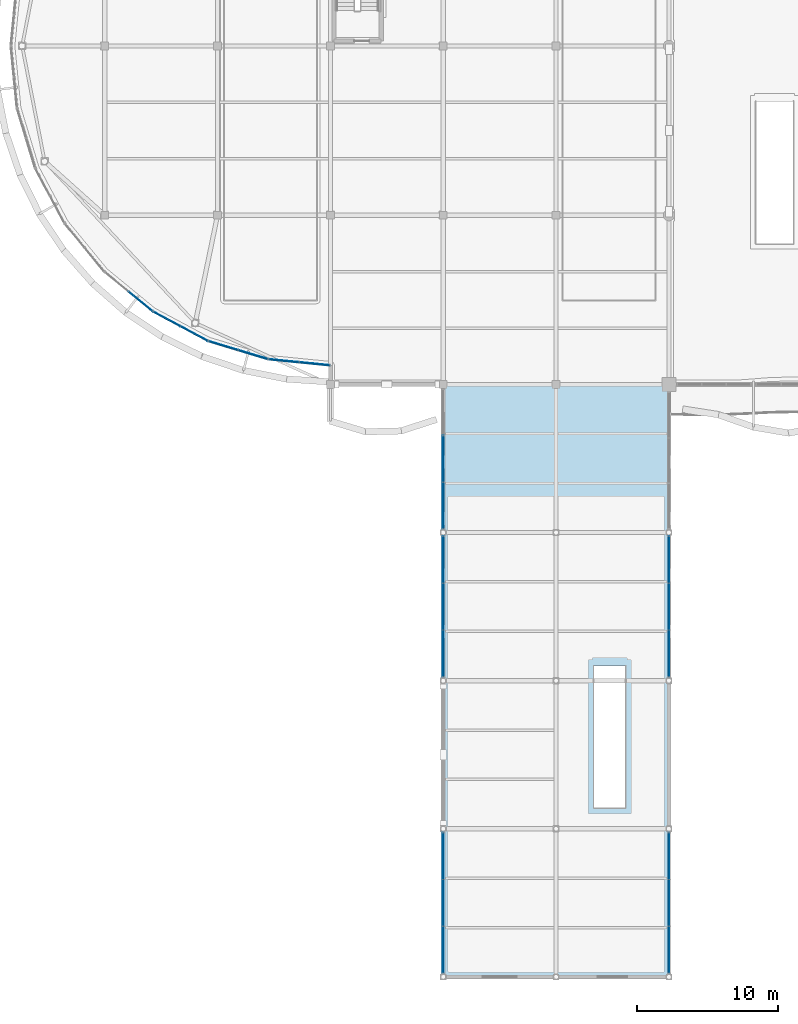
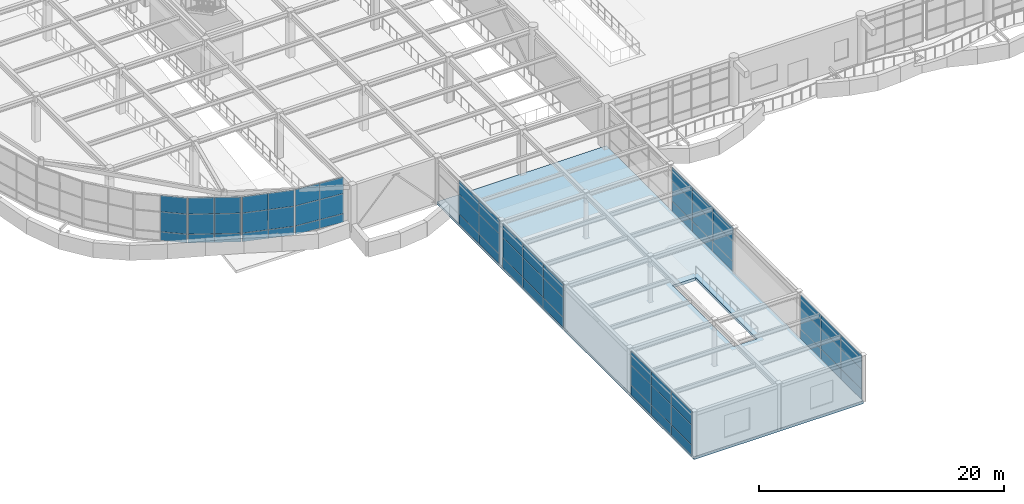
# One storey, part 35 of 72: 63 plates, 1 slab, 9 elements without a shape of their own.
"""IFC4 building model written with IfcOpenShell, lengths in metres."""

from ifc_helpers import new_model, si_unit, direction, frame, origin, origin_2d, place, context, subcontext, project, spatial, polyline, rectangle, outline, extrude, material, layer, layer_set, type_object, element, aggregate, save


model = new_model("IFC4")

# Units and contexts
model_context = context("Model", 3, precision=1e-05, world=origin(), true_north=direction((0.0, 1.0)))
body_context = subcontext(model_context, "Body", "Model", "MODEL_VIEW")
ifc_project = project(units=[si_unit("LENGTHUNIT", "METRE"), si_unit("AREAUNIT", "SQUARE_METRE"), si_unit("VOLUMEUNIT", "CUBIC_METRE"), si_unit("PLANEANGLEUNIT", "RADIAN"), si_unit("MASSUNIT", "GRAM", prefix="KILO")], contexts=[model_context])

# Site, building, storey
site_placement = place(None, origin())
site = spatial("IfcSite", under=ifc_project, at=site_placement, CompositionType="ELEMENT")
building_placement = place(site_placement, origin())
building = spatial("IfcBuilding", under=site, at=building_placement, Name="Keelwater Ferry Terminal", CompositionType="ELEMENT")
storey_placement = place(building_placement, frame((0.0, 0.0, 5.39990234375)))
storey = spatial("IfcBuildingStorey", under=building, at=storey_placement, Name="L01", CompositionType="ELEMENT", Elevation=5.39990234375)

# Curtain wall, plates
ifc_material_1 = material(Name="Thermally broken unitised aluminium and triple glass", Category="aluminium")
ifc_layer_1 = layer(ifc_material_1, 0.179931640625)
ifc_layer_set_1 = layer_set([ifc_layer_1], Name="Thermally broken unitised aluminium and triple glass")
curtain_wall_type_1 = type_object("IfcCurtainWallType", Name="CW-09 Unitised Curtain Wall 9944x4400", PredefinedType="USERDEFINED", material=ifc_layer_set_1)
curtain_wall_1_placement = place(storey_placement, origin())
curtain_wall_1 = element("IfcCurtainWall", 1, at=curtain_wall_1_placement, inside=storey, type_object=curtain_wall_type_1, Name="Unitised Curtain Wall CW-L01-048", ObjectType="UNITISED CURTAIN WALL", PredefinedType="USERDEFINED")
ifc_material_2 = material(Name="Insulated aluminium spandrel", Category="aluminium")
ifc_layer_2 = layer(ifc_material_2, 0.080078125)
ifc_layer_set_2 = layer_set([ifc_layer_2], Name="Insulated aluminium spandrel")
plate_type_1 = type_object("IfcPlateType", Name="CWP-S1 Insulated Spandrel Panel 80", PredefinedType="CURTAIN_PANEL", material=ifc_layer_set_2)
plate_1_placement = place(storey_placement, frame((32.0, 1.935302734375, 0.0), z_axis=(0.0, 0.0, 1.0), x_axis=(0.0, 1.0, 0.0)))
plate_1 = element("IfcPlate", 2, at=plate_1_placement, type_object=plate_type_1, Name="CW-L01-048 Panel 1.1", PredefinedType="CURTAIN_PANEL", context=body_context, shape_type="SweptSolid", body=[
    extrude(rectangle(XDim=3.314697265625, YDim=0.080078125, at=origin_2d()), origin(), (0.0, 0.0, 1.0), 1.0),
])
plate_2_placement = place(storey_placement, frame((32.0, 5.25, 0.0), z_axis=(0.0, 0.0, 1.0), x_axis=(0.0, 1.0, 0.0)))
plate_2 = element("IfcPlate", 3, at=plate_2_placement, type_object=plate_type_1, Name="CW-L01-048 Panel 2.1", PredefinedType="CURTAIN_PANEL", context=body_context, shape_type="SweptSolid", body=[
    extrude(rectangle(XDim=3.314697265625, YDim=0.080078125, at=origin_2d()), origin(), (0.0, 0.0, 1.0), 1.0),
])
plate_3_placement = place(storey_placement, frame((32.0, 8.564697265625, 0.0), z_axis=(0.0, 0.0, 1.0), x_axis=(0.0, 1.0, 0.0)))
plate_3 = element("IfcPlate", 4, at=plate_3_placement, type_object=plate_type_1, Name="CW-L01-048 Panel 3.1", PredefinedType="CURTAIN_PANEL", context=body_context, shape_type="SweptSolid", body=[
    extrude(rectangle(XDim=3.314697265625, YDim=0.080078125, at=origin_2d()), origin(), (0.0, 0.0, 1.0), 1.0),
])

curtain_wall_2_placement = place(storey_placement, origin())
curtain_wall_2 = element("IfcCurtainWall", 5, at=curtain_wall_2_placement, inside=storey, type_object=curtain_wall_type_1, Name="Unitised Curtain Wall CW-L01-050", ObjectType="UNITISED CURTAIN WALL", PredefinedType="USERDEFINED")
plate_4_placement = place(storey_placement, frame((32.0, 22.935302734375, 0.0), z_axis=(0.0, 0.0, 1.0), x_axis=(0.0, 1.0, 0.0)))
plate_4 = element("IfcPlate", 6, at=plate_4_placement, type_object=plate_type_1, Name="CW-L01-050 Panel 1.1", PredefinedType="CURTAIN_PANEL", context=body_context, shape_type="SweptSolid", body=[
    extrude(rectangle(XDim=3.314697265625, YDim=0.080078125, at=origin_2d()), origin(), (0.0, 0.0, 1.0), 1.0),
])
plate_5_placement = place(storey_placement, frame((32.0, 26.25, 0.0), z_axis=(0.0, 0.0, 1.0), x_axis=(0.0, 1.0, 0.0)))
plate_5 = element("IfcPlate", 7, at=plate_5_placement, type_object=plate_type_1, Name="CW-L01-050 Panel 2.1", PredefinedType="CURTAIN_PANEL", context=body_context, shape_type="SweptSolid", body=[
    extrude(rectangle(XDim=3.314697265625, YDim=0.080078125, at=origin_2d()), origin(), (0.0, 0.0, 1.0), 1.0),
])
plate_6_placement = place(storey_placement, frame((32.0, 29.564697265625, 0.0), z_axis=(0.0, 0.0, 1.0), x_axis=(0.0, 1.0, 0.0)))
plate_6 = element("IfcPlate", 8, at=plate_6_placement, type_object=plate_type_1, Name="CW-L01-050 Panel 3.1", PredefinedType="CURTAIN_PANEL", context=body_context, shape_type="SweptSolid", body=[
    extrude(rectangle(XDim=3.314697265625, YDim=0.080078125, at=origin_2d()), origin(), (0.0, 0.0, 1.0), 1.0),
])

ifc_material_3 = material(Name="Thermally broken unitised aluminium and triple glass", Category="aluminium")
ifc_layer_3 = layer(ifc_material_3, 0.179931640625)
ifc_layer_set_3 = layer_set([ifc_layer_3], Name="Thermally broken unitised aluminium and triple glass")
curtain_wall_type_2 = type_object("IfcCurtainWallType", Name="CW-11 Unitised Curtain Wall 9872x4400", PredefinedType="USERDEFINED", material=ifc_layer_set_3)
curtain_wall_3_placement = place(storey_placement, origin())
curtain_wall_3 = element("IfcCurtainWall", 9, at=curtain_wall_3_placement, inside=storey, type_object=curtain_wall_type_2, Name="Unitised Curtain Wall CW-L01-052", ObjectType="UNITISED CURTAIN WALL", PredefinedType="USERDEFINED")
plate_7_placement = place(storey_placement, frame((32.0, 33.42333984375, 0.0), z_axis=(0.0, 0.0, 1.0), x_axis=(0.0, 1.0, 0.0)))
plate_7 = element("IfcPlate", 10, at=plate_7_placement, type_object=plate_type_1, Name="CW-L01-052 Panel 1.1", PredefinedType="CURTAIN_PANEL", context=body_context, shape_type="SweptSolid", body=[
    extrude(rectangle(XDim=3.290771484375, YDim=0.080078125, at=origin_2d()), origin(), (0.0, 0.0, 1.0), 1.0),
])
plate_8_placement = place(storey_placement, frame((32.0, 36.714111328125, 0.0), z_axis=(0.0, 0.0, 1.0), x_axis=(0.0, 1.0, 0.0)))
plate_8 = element("IfcPlate", 11, at=plate_8_placement, type_object=plate_type_1, Name="CW-L01-052 Panel 2.1", PredefinedType="CURTAIN_PANEL", context=body_context, shape_type="SweptSolid", body=[
    extrude(rectangle(XDim=3.290771484375, YDim=0.080078125, at=origin_2d()), origin(), (0.0, 0.0, 1.0), 1.0),
])

curtain_wall_4_placement = place(storey_placement, origin())
curtain_wall_4 = element("IfcCurtainWall", 12, at=curtain_wall_4_placement, inside=storey, type_object=curtain_wall_type_1, Name="Unitised Curtain Wall CW-L01-054", ObjectType="UNITISED CURTAIN WALL", PredefinedType="USERDEFINED")
plate_9_placement = place(storey_placement, frame((48.0, 1.935302734375, 0.0), z_axis=(0.0, 0.0, 1.0), x_axis=(0.0, 1.0, 0.0)))
plate_9 = element("IfcPlate", 13, at=plate_9_placement, type_object=plate_type_1, Name="CW-L01-054 Panel 1.1", PredefinedType="CURTAIN_PANEL", context=body_context, shape_type="SweptSolid", body=[
    extrude(rectangle(XDim=3.314697265625, YDim=0.080078125, at=origin_2d()), origin(), (0.0, 0.0, 1.0), 1.0),
])
plate_10_placement = place(storey_placement, frame((48.0, 5.25, 0.0), z_axis=(0.0, 0.0, 1.0), x_axis=(0.0, 1.0, 0.0)))
plate_10 = element("IfcPlate", 14, at=plate_10_placement, type_object=plate_type_1, Name="CW-L01-054 Panel 2.1", PredefinedType="CURTAIN_PANEL", context=body_context, shape_type="SweptSolid", body=[
    extrude(rectangle(XDim=3.314697265625, YDim=0.080078125, at=origin_2d()), origin(), (0.0, 0.0, 1.0), 1.0),
])
plate_11_placement = place(storey_placement, frame((48.0, 8.564697265625, 0.0), z_axis=(0.0, 0.0, 1.0), x_axis=(0.0, 1.0, 0.0)))
plate_11 = element("IfcPlate", 15, at=plate_11_placement, type_object=plate_type_1, Name="CW-L01-054 Panel 3.1", PredefinedType="CURTAIN_PANEL", context=body_context, shape_type="SweptSolid", body=[
    extrude(rectangle(XDim=3.314697265625, YDim=0.080078125, at=origin_2d()), origin(), (0.0, 0.0, 1.0), 1.0),
])

curtain_wall_5_placement = place(storey_placement, origin())
curtain_wall_5 = element("IfcCurtainWall", 16, at=curtain_wall_5_placement, inside=storey, type_object=curtain_wall_type_1, Name="Unitised Curtain Wall CW-L01-056", ObjectType="UNITISED CURTAIN WALL", PredefinedType="USERDEFINED")
plate_12_placement = place(storey_placement, frame((48.0, 22.935302734375, 0.0), z_axis=(0.0, 0.0, 1.0), x_axis=(0.0, 1.0, 0.0)))
plate_12 = element("IfcPlate", 17, at=plate_12_placement, type_object=plate_type_1, Name="CW-L01-056 Panel 1.1", PredefinedType="CURTAIN_PANEL", context=body_context, shape_type="SweptSolid", body=[
    extrude(rectangle(XDim=3.314697265625, YDim=0.080078125, at=origin_2d()), origin(), (0.0, 0.0, 1.0), 1.0),
])
plate_13_placement = place(storey_placement, frame((48.0, 26.25, 0.0), z_axis=(0.0, 0.0, 1.0), x_axis=(0.0, 1.0, 0.0)))
plate_13 = element("IfcPlate", 18, at=plate_13_placement, type_object=plate_type_1, Name="CW-L01-056 Panel 2.1", PredefinedType="CURTAIN_PANEL", context=body_context, shape_type="SweptSolid", body=[
    extrude(rectangle(XDim=3.314697265625, YDim=0.080078125, at=origin_2d()), origin(), (0.0, 0.0, 1.0), 1.0),
])
plate_14_placement = place(storey_placement, frame((48.0, 29.564697265625, 0.0), z_axis=(0.0, 0.0, 1.0), x_axis=(0.0, 1.0, 0.0)))
plate_14 = element("IfcPlate", 19, at=plate_14_placement, type_object=plate_type_1, Name="CW-L01-056 Panel 3.1", PredefinedType="CURTAIN_PANEL", context=body_context, shape_type="SweptSolid", body=[
    extrude(rectangle(XDim=3.314697265625, YDim=0.080078125, at=origin_2d()), origin(), (0.0, 0.0, 1.0), 1.0),
])

# Curtain wall, plate
ifc_material_4 = material(Name="Thermally broken unitised aluminium and triple glass", Category="aluminium")
ifc_layer_4 = layer(ifc_material_4, 0.179931640625)
ifc_layer_set_4 = layer_set([ifc_layer_4], Name="Thermally broken unitised aluminium and triple glass")
curtain_wall_type_3 = type_object("IfcCurtainWallType", Name="CW-18 Unitised Curtain Wall 4350x4480", PredefinedType="USERDEFINED", material=ifc_layer_set_4)
curtain_wall_6_placement = place(storey_placement, origin())
curtain_wall_6 = element("IfcCurtainWall", 20, at=curtain_wall_6_placement, inside=storey, type_object=curtain_wall_type_3, Name="Unitised Curtain Wall CW-L01-121", ObjectType="UNITISED CURTAIN WALL", PredefinedType="USERDEFINED")
ifc_material_5 = material(Name="Insulated white cassette spandrel", Category="aluminium")
ifc_layer_5 = layer(ifc_material_5, 0.094970703125)
ifc_layer_set_5 = layer_set([ifc_layer_5], Name="Insulated white cassette spandrel")
plate_type_2 = type_object("IfcPlateType", Name="CWP-S2 Insulated Spandrel Panel 95", PredefinedType="CURTAIN_PANEL", material=ifc_layer_set_5)
plate_15_placement = place(storey_placement, frame((10.54052734375, 47.8857421875, 0.0), z_axis=(0.0, 0.0, 1.0), x_axis=(0.773024220086, -0.634376508991, 0.0)))
plate_15 = element("IfcPlate", 21, at=plate_15_placement, type_object=plate_type_2, Name="CW-L01-121 Panel 2.1", PredefinedType="CURTAIN_PANEL", context=body_context, shape_type="SweptSolid", body=[
    extrude(rectangle(XDim=2.174560546875, YDim=0.094970703125, at=origin_2d()), origin(), (0.0, 0.0, 1.0), 0.85009765625),
])

# Curtain wall, plates
curtain_wall_7_placement = place(storey_placement, origin())
curtain_wall_7 = element("IfcCurtainWall", 22, at=curtain_wall_7_placement, inside=storey, type_object=curtain_wall_type_3, Name="Unitised Curtain Wall CW-L01-122", ObjectType="UNITISED CURTAIN WALL", PredefinedType="USERDEFINED")
plate_16_placement = place(storey_placement, frame((12.4150390625, 46.63330078125, 0.0), z_axis=(0.0, 0.0, 1.0), x_axis=(0.881862452632, -0.471506749303, 0.0)))
plate_16 = element("IfcPlate", 23, at=plate_16_placement, type_object=plate_type_2, Name="CW-L01-122 Panel 1.1", PredefinedType="CURTAIN_PANEL", context=body_context, shape_type="SweptSolid", body=[
    extrude(rectangle(XDim=2.175048828125, YDim=0.094970703125, at=origin_2d()), origin(), (0.0, 0.0, 1.0), 0.85009765625),
])
plate_17_placement = place(storey_placement, frame((14.3330078125, 45.607666015625, 0.0), z_axis=(0.0, 0.0, 1.0), x_axis=(0.881862452632, -0.471506749303, 0.0)))
plate_17 = element("IfcPlate", 24, at=plate_17_placement, type_object=plate_type_2, Name="CW-L01-122 Panel 2.1", PredefinedType="CURTAIN_PANEL", context=body_context, shape_type="SweptSolid", body=[
    extrude(rectangle(XDim=2.175048828125, YDim=0.094970703125, at=origin_2d()), origin(), (0.0, 0.0, 1.0), 0.85009765625),
])

curtain_wall_8_placement = place(storey_placement, origin())
curtain_wall_8 = element("IfcCurtainWall", 25, at=curtain_wall_8_placement, inside=storey, type_object=curtain_wall_type_3, Name="Unitised Curtain Wall CW-L01-123", ObjectType="UNITISED CURTAIN WALL", PredefinedType="USERDEFINED")
plate_18_placement = place(storey_placement, frame((16.415771484375, 44.745361328125, 0.0), z_axis=(0.0, 0.0, 1.0), x_axis=(0.956929623319, -0.290319989003, 0.0)))
plate_18 = element("IfcPlate", 26, at=plate_18_placement, type_object=plate_type_2, Name="CW-L01-123 Panel 1.1", PredefinedType="CURTAIN_PANEL", context=body_context, shape_type="SweptSolid", body=[
    extrude(rectangle(XDim=2.17529296875, YDim=0.094970703125, at=origin_2d()), origin(), (0.0, 0.0, 1.0), 0.85009765625),
])
plate_19_placement = place(storey_placement, frame((18.497314453125, 44.11376953125, 0.0), z_axis=(0.0, 0.0, 1.0), x_axis=(0.956929623319, -0.290319989003, 0.0)))
plate_19 = element("IfcPlate", 27, at=plate_19_placement, type_object=plate_type_2, Name="CW-L01-123 Panel 2.1", PredefinedType="CURTAIN_PANEL", context=body_context, shape_type="SweptSolid", body=[
    extrude(rectangle(XDim=2.17529296875, YDim=0.094970703125, at=origin_2d()), origin(), (0.0, 0.0, 1.0), 0.85009765625),
])

curtain_wall_9_placement = place(storey_placement, origin())
curtain_wall_9 = element("IfcCurtainWall", 28, at=curtain_wall_9_placement, inside=storey, type_object=curtain_wall_type_3, Name="Unitised Curtain Wall CW-L01-124", ObjectType="UNITISED CURTAIN WALL", PredefinedType="USERDEFINED")
plate_20_placement = place(storey_placement, frame((20.708251953125, 43.67431640625, 0.0), z_axis=(0.0, 0.0, 1.0), x_axis=(0.995170573079, -0.098160737969, 0.0)))
plate_20 = element("IfcPlate", 29, at=plate_20_placement, type_object=plate_type_2, Name="CW-L01-124 Panel 1.1", PredefinedType="CURTAIN_PANEL", context=body_context, shape_type="SweptSolid", body=[
    extrude(rectangle(XDim=2.175048828125, YDim=0.094970703125, at=origin_2d()), origin(), (0.0, 0.0, 1.0), 0.85009765625),
])
plate_21_placement = place(storey_placement, frame((22.872802734375, 43.460693359375, 0.0), z_axis=(0.0, 0.0, 1.0), x_axis=(0.995170573079, -0.098160737969, 0.0)))
plate_21 = element("IfcPlate", 30, at=plate_21_placement, type_object=plate_type_2, Name="CW-L01-124 Panel 2.1", PredefinedType="CURTAIN_PANEL", context=body_context, shape_type="SweptSolid", body=[
    extrude(rectangle(XDim=2.175048828125, YDim=0.094970703125, at=origin_2d()), origin(), (0.0, 0.0, 1.0), 0.85009765625),
])

# Plate
ifc_material_6 = material(Name="Triple low-E laminated glass", Category="glass")
ifc_layer_6 = layer(ifc_material_6, 0.035888671875)
ifc_layer_set_6 = layer_set([ifc_layer_6], Name="Triple low-E laminated glass")
plate_type_3 = type_object("IfcPlateType", Name="CWP-V1 Glazed Vision Panel 36", PredefinedType="CURTAIN_PANEL", material=ifc_layer_set_6)
plate_22_placement = place(storey_placement, frame((10.54052734375, 47.8857421875, 0.85009765625), z_axis=(0.0, 0.0, 1.0), x_axis=(0.773024220086, -0.634376508991, 0.0)))
plate_22 = element("IfcPlate", 31, at=plate_22_placement, type_object=plate_type_3, Name="CW-L01-121 Panel 2.2", PredefinedType="CURTAIN_PANEL", context=body_context, shape_type="SweptSolid", body=[
    extrude(rectangle(XDim=2.174560546875, YDim=0.035888671875, at=origin_2d()), origin(), (0.0, 0.0, 1.0), 2.0),
])

plate_23_placement = place(storey_placement, frame((10.54052734375, 47.8857421875, 2.85009765625), z_axis=(0.0, 0.0, 1.0), x_axis=(0.773024220086, -0.634376508991, 0.0)))
plate_23 = element("IfcPlate", 32, at=plate_23_placement, type_object=plate_type_3, Name="CW-L01-121 Panel 2.3", PredefinedType="CURTAIN_PANEL", context=body_context, shape_type="SweptSolid", body=[
    extrude(rectangle(XDim=2.174560546875, YDim=0.035888671875, at=origin_2d()), origin(), (0.0, 0.0, 1.0), 1.6298828125),
])

aggregate(curtain_wall_6, [plate_15, plate_22, plate_23])

plate_24_placement = place(storey_placement, frame((12.4150390625, 46.63330078125, 0.85009765625), z_axis=(0.0, 0.0, 1.0), x_axis=(0.881862452632, -0.471506749303, 0.0)))
plate_24 = element("IfcPlate", 33, at=plate_24_placement, type_object=plate_type_3, Name="CW-L01-122 Panel 1.2", PredefinedType="CURTAIN_PANEL", context=body_context, shape_type="SweptSolid", body=[
    extrude(rectangle(XDim=2.175048828125, YDim=0.035888671875, at=origin_2d()), origin(), (0.0, 0.0, 1.0), 2.0),
])

plate_25_placement = place(storey_placement, frame((12.4150390625, 46.63330078125, 2.85009765625), z_axis=(0.0, 0.0, 1.0), x_axis=(0.881862452632, -0.471506749303, 0.0)))
plate_25 = element("IfcPlate", 34, at=plate_25_placement, type_object=plate_type_3, Name="CW-L01-122 Panel 1.3", PredefinedType="CURTAIN_PANEL", context=body_context, shape_type="SweptSolid", body=[
    extrude(rectangle(XDim=2.175048828125, YDim=0.035888671875, at=origin_2d()), origin(), (0.0, 0.0, 1.0), 1.6298828125),
])

plate_26_placement = place(storey_placement, frame((14.3330078125, 45.607666015625, 0.85009765625), z_axis=(0.0, 0.0, 1.0), x_axis=(0.881862452632, -0.471506749303, 0.0)))
plate_26 = element("IfcPlate", 35, at=plate_26_placement, type_object=plate_type_3, Name="CW-L01-122 Panel 2.2", PredefinedType="CURTAIN_PANEL", context=body_context, shape_type="SweptSolid", body=[
    extrude(rectangle(XDim=2.175048828125, YDim=0.035888671875, at=origin_2d()), origin(), (0.0, 0.0, 1.0), 2.0),
])

plate_27_placement = place(storey_placement, frame((14.3330078125, 45.607666015625, 2.85009765625), z_axis=(0.0, 0.0, 1.0), x_axis=(0.881862452632, -0.471506749303, 0.0)))
plate_27 = element("IfcPlate", 36, at=plate_27_placement, type_object=plate_type_3, Name="CW-L01-122 Panel 2.3", PredefinedType="CURTAIN_PANEL", context=body_context, shape_type="SweptSolid", body=[
    extrude(rectangle(XDim=2.175048828125, YDim=0.035888671875, at=origin_2d()), origin(), (0.0, 0.0, 1.0), 1.6298828125),
])

aggregate(curtain_wall_7, [plate_16, plate_24, plate_25, plate_17, plate_26, plate_27])

plate_28_placement = place(storey_placement, frame((16.415771484375, 44.745361328125, 0.85009765625), z_axis=(0.0, 0.0, 1.0), x_axis=(0.956929623319, -0.290319989003, 0.0)))
plate_28 = element("IfcPlate", 37, at=plate_28_placement, type_object=plate_type_3, Name="CW-L01-123 Panel 1.2", PredefinedType="CURTAIN_PANEL", context=body_context, shape_type="SweptSolid", body=[
    extrude(rectangle(XDim=2.17529296875, YDim=0.035888671875, at=origin_2d()), origin(), (0.0, 0.0, 1.0), 2.0),
])

plate_29_placement = place(storey_placement, frame((16.415771484375, 44.745361328125, 2.85009765625), z_axis=(0.0, 0.0, 1.0), x_axis=(0.956929623319, -0.290319989003, 0.0)))
plate_29 = element("IfcPlate", 38, at=plate_29_placement, type_object=plate_type_3, Name="CW-L01-123 Panel 1.3", PredefinedType="CURTAIN_PANEL", context=body_context, shape_type="SweptSolid", body=[
    extrude(rectangle(XDim=2.17529296875, YDim=0.035888671875, at=origin_2d()), origin(), (0.0, 0.0, 1.0), 1.6298828125),
])

plate_30_placement = place(storey_placement, frame((18.497314453125, 44.11376953125, 0.85009765625), z_axis=(0.0, 0.0, 1.0), x_axis=(0.956929623319, -0.290319989003, 0.0)))
plate_30 = element("IfcPlate", 39, at=plate_30_placement, type_object=plate_type_3, Name="CW-L01-123 Panel 2.2", PredefinedType="CURTAIN_PANEL", context=body_context, shape_type="SweptSolid", body=[
    extrude(rectangle(XDim=2.17529296875, YDim=0.035888671875, at=origin_2d()), origin(), (0.0, 0.0, 1.0), 2.0),
])

plate_31_placement = place(storey_placement, frame((18.497314453125, 44.11376953125, 2.85009765625), z_axis=(0.0, 0.0, 1.0), x_axis=(0.956929623319, -0.290319989003, 0.0)))
plate_31 = element("IfcPlate", 40, at=plate_31_placement, type_object=plate_type_3, Name="CW-L01-123 Panel 2.3", PredefinedType="CURTAIN_PANEL", context=body_context, shape_type="SweptSolid", body=[
    extrude(rectangle(XDim=2.17529296875, YDim=0.035888671875, at=origin_2d()), origin(), (0.0, 0.0, 1.0), 1.6298828125),
])

aggregate(curtain_wall_8, [plate_18, plate_28, plate_29, plate_19, plate_30, plate_31])

plate_32_placement = place(storey_placement, frame((20.708251953125, 43.67431640625, 0.85009765625), z_axis=(0.0, 0.0, 1.0), x_axis=(0.995170573079, -0.098160737969, 0.0)))
plate_32 = element("IfcPlate", 41, at=plate_32_placement, type_object=plate_type_3, Name="CW-L01-124 Panel 1.2", PredefinedType="CURTAIN_PANEL", context=body_context, shape_type="SweptSolid", body=[
    extrude(rectangle(XDim=2.175048828125, YDim=0.035888671875, at=origin_2d()), origin(), (0.0, 0.0, 1.0), 2.0),
])

plate_33_placement = place(storey_placement, frame((20.708251953125, 43.67431640625, 2.85009765625), z_axis=(0.0, 0.0, 1.0), x_axis=(0.995170573079, -0.098160737969, 0.0)))
plate_33 = element("IfcPlate", 42, at=plate_33_placement, type_object=plate_type_3, Name="CW-L01-124 Panel 1.3", PredefinedType="CURTAIN_PANEL", context=body_context, shape_type="SweptSolid", body=[
    extrude(rectangle(XDim=2.175048828125, YDim=0.035888671875, at=origin_2d()), origin(), (0.0, 0.0, 1.0), 1.6298828125),
])

plate_34_placement = place(storey_placement, frame((22.872802734375, 43.460693359375, 0.85009765625), z_axis=(0.0, 0.0, 1.0), x_axis=(0.995170573079, -0.098160737969, 0.0)))
plate_34 = element("IfcPlate", 43, at=plate_34_placement, type_object=plate_type_3, Name="CW-L01-124 Panel 2.2", PredefinedType="CURTAIN_PANEL", context=body_context, shape_type="SweptSolid", body=[
    extrude(rectangle(XDim=2.175048828125, YDim=0.035888671875, at=origin_2d()), origin(), (0.0, 0.0, 1.0), 2.0),
])

plate_35_placement = place(storey_placement, frame((22.872802734375, 43.460693359375, 2.85009765625), z_axis=(0.0, 0.0, 1.0), x_axis=(0.995170573079, -0.098160737969, 0.0)))
plate_35 = element("IfcPlate", 44, at=plate_35_placement, type_object=plate_type_3, Name="CW-L01-124 Panel 2.3", PredefinedType="CURTAIN_PANEL", context=body_context, shape_type="SweptSolid", body=[
    extrude(rectangle(XDim=2.175048828125, YDim=0.035888671875, at=origin_2d()), origin(), (0.0, 0.0, 1.0), 1.6298828125),
])

aggregate(curtain_wall_9, [plate_20, plate_32, plate_33, plate_21, plate_34, plate_35])

ifc_material_7 = material(Name="Acoustic marine triple glass", Category="glass")
ifc_layer_7 = layer(ifc_material_7, 0.048095703125)
ifc_layer_set_7 = layer_set([ifc_layer_7], Name="Acoustic marine triple glass")
plate_type_4 = type_object("IfcPlateType", Name="CWP-V3 Glazed Vision Panel 48", PredefinedType="CURTAIN_PANEL", material=ifc_layer_set_7)
plate_36_placement = place(storey_placement, frame((32.0, 1.935302734375, 1.0), z_axis=(0.0, 0.0, 1.0), x_axis=(0.0, 1.0, 0.0)))
plate_36 = element("IfcPlate", 45, at=plate_36_placement, type_object=plate_type_4, Name="CW-L01-048 Panel 1.2", PredefinedType="CURTAIN_PANEL", context=body_context, shape_type="SweptSolid", body=[
    extrude(rectangle(XDim=3.314697265625, YDim=0.048095703125, at=origin_2d()), origin(), (0.0, 0.0, 1.0), 2.0),
])

plate_37_placement = place(storey_placement, frame((32.0, 1.935302734375, 3.000244140625), z_axis=(0.0, 0.0, 1.0), x_axis=(0.0, 1.0, 0.0)))
plate_37 = element("IfcPlate", 46, at=plate_37_placement, type_object=plate_type_4, Name="CW-L01-048 Panel 1.3", PredefinedType="CURTAIN_PANEL", context=body_context, shape_type="SweptSolid", body=[
    extrude(rectangle(XDim=3.314697265625, YDim=0.048095703125, at=origin_2d()), origin(), (0.0, 0.0, 1.0), 1.39990234375),
])

plate_38_placement = place(storey_placement, frame((32.0, 5.25, 1.0), z_axis=(0.0, 0.0, 1.0), x_axis=(0.0, 1.0, 0.0)))
plate_38 = element("IfcPlate", 47, at=plate_38_placement, type_object=plate_type_4, Name="CW-L01-048 Panel 2.2", PredefinedType="CURTAIN_PANEL", context=body_context, shape_type="SweptSolid", body=[
    extrude(rectangle(XDim=3.314697265625, YDim=0.048095703125, at=origin_2d()), origin(), (0.0, 0.0, 1.0), 2.0),
])

plate_39_placement = place(storey_placement, frame((32.0, 5.25, 3.000244140625), z_axis=(0.0, 0.0, 1.0), x_axis=(0.0, 1.0, 0.0)))
plate_39 = element("IfcPlate", 48, at=plate_39_placement, type_object=plate_type_4, Name="CW-L01-048 Panel 2.3", PredefinedType="CURTAIN_PANEL", context=body_context, shape_type="SweptSolid", body=[
    extrude(rectangle(XDim=3.314697265625, YDim=0.048095703125, at=origin_2d()), origin(), (0.0, 0.0, 1.0), 1.39990234375),
])

plate_40_placement = place(storey_placement, frame((32.0, 8.564697265625, 1.0), z_axis=(0.0, 0.0, 1.0), x_axis=(0.0, 1.0, 0.0)))
plate_40 = element("IfcPlate", 49, at=plate_40_placement, type_object=plate_type_4, Name="CW-L01-048 Panel 3.2", PredefinedType="CURTAIN_PANEL", context=body_context, shape_type="SweptSolid", body=[
    extrude(rectangle(XDim=3.314697265625, YDim=0.048095703125, at=origin_2d()), origin(), (0.0, 0.0, 1.0), 2.0),
])

plate_41_placement = place(storey_placement, frame((32.0, 8.564697265625, 3.000244140625), z_axis=(0.0, 0.0, 1.0), x_axis=(0.0, 1.0, 0.0)))
plate_41 = element("IfcPlate", 50, at=plate_41_placement, type_object=plate_type_4, Name="CW-L01-048 Panel 3.3", PredefinedType="CURTAIN_PANEL", context=body_context, shape_type="SweptSolid", body=[
    extrude(rectangle(XDim=3.314697265625, YDim=0.048095703125, at=origin_2d()), origin(), (0.0, 0.0, 1.0), 1.39990234375),
])

aggregate(curtain_wall_1, [plate_1, plate_36, plate_37, plate_2, plate_38, plate_39, plate_3, plate_40, plate_41])

plate_42_placement = place(storey_placement, frame((32.0, 22.935302734375, 1.0), z_axis=(0.0, 0.0, 1.0), x_axis=(0.0, 1.0, 0.0)))
plate_42 = element("IfcPlate", 51, at=plate_42_placement, type_object=plate_type_4, Name="CW-L01-050 Panel 1.2", PredefinedType="CURTAIN_PANEL", context=body_context, shape_type="SweptSolid", body=[
    extrude(rectangle(XDim=3.314697265625, YDim=0.048095703125, at=origin_2d()), origin(), (0.0, 0.0, 1.0), 2.0),
])

plate_43_placement = place(storey_placement, frame((32.0, 22.935302734375, 3.000244140625), z_axis=(0.0, 0.0, 1.0), x_axis=(0.0, 1.0, 0.0)))
plate_43 = element("IfcPlate", 52, at=plate_43_placement, type_object=plate_type_4, Name="CW-L01-050 Panel 1.3", PredefinedType="CURTAIN_PANEL", context=body_context, shape_type="SweptSolid", body=[
    extrude(rectangle(XDim=3.314697265625, YDim=0.048095703125, at=origin_2d()), origin(), (0.0, 0.0, 1.0), 1.39990234375),
])

plate_44_placement = place(storey_placement, frame((32.0, 26.25, 1.0), z_axis=(0.0, 0.0, 1.0), x_axis=(0.0, 1.0, 0.0)))
plate_44 = element("IfcPlate", 53, at=plate_44_placement, type_object=plate_type_4, Name="CW-L01-050 Panel 2.2", PredefinedType="CURTAIN_PANEL", context=body_context, shape_type="SweptSolid", body=[
    extrude(rectangle(XDim=3.314697265625, YDim=0.048095703125, at=origin_2d()), origin(), (0.0, 0.0, 1.0), 2.0),
])

plate_45_placement = place(storey_placement, frame((32.0, 26.25, 3.000244140625), z_axis=(0.0, 0.0, 1.0), x_axis=(0.0, 1.0, 0.0)))
plate_45 = element("IfcPlate", 54, at=plate_45_placement, type_object=plate_type_4, Name="CW-L01-050 Panel 2.3", PredefinedType="CURTAIN_PANEL", context=body_context, shape_type="SweptSolid", body=[
    extrude(rectangle(XDim=3.314697265625, YDim=0.048095703125, at=origin_2d()), origin(), (0.0, 0.0, 1.0), 1.39990234375),
])

plate_46_placement = place(storey_placement, frame((32.0, 29.564697265625, 1.0), z_axis=(0.0, 0.0, 1.0), x_axis=(0.0, 1.0, 0.0)))
plate_46 = element("IfcPlate", 55, at=plate_46_placement, type_object=plate_type_4, Name="CW-L01-050 Panel 3.2", PredefinedType="CURTAIN_PANEL", context=body_context, shape_type="SweptSolid", body=[
    extrude(rectangle(XDim=3.314697265625, YDim=0.048095703125, at=origin_2d()), origin(), (0.0, 0.0, 1.0), 2.0),
])

plate_47_placement = place(storey_placement, frame((32.0, 29.564697265625, 3.000244140625), z_axis=(0.0, 0.0, 1.0), x_axis=(0.0, 1.0, 0.0)))
plate_47 = element("IfcPlate", 56, at=plate_47_placement, type_object=plate_type_4, Name="CW-L01-050 Panel 3.3", PredefinedType="CURTAIN_PANEL", context=body_context, shape_type="SweptSolid", body=[
    extrude(rectangle(XDim=3.314697265625, YDim=0.048095703125, at=origin_2d()), origin(), (0.0, 0.0, 1.0), 1.39990234375),
])

aggregate(curtain_wall_2, [plate_4, plate_42, plate_43, plate_5, plate_44, plate_45, plate_6, plate_46, plate_47])

plate_48_placement = place(storey_placement, frame((32.0, 33.42333984375, 1.0), z_axis=(0.0, 0.0, 1.0), x_axis=(0.0, 1.0, 0.0)))
plate_48 = element("IfcPlate", 57, at=plate_48_placement, type_object=plate_type_4, Name="CW-L01-052 Panel 1.2", PredefinedType="CURTAIN_PANEL", context=body_context, shape_type="SweptSolid", body=[
    extrude(rectangle(XDim=3.290771484375, YDim=0.048095703125, at=origin_2d()), origin(), (0.0, 0.0, 1.0), 2.0),
])

plate_49_placement = place(storey_placement, frame((32.0, 33.42333984375, 3.000244140625), z_axis=(0.0, 0.0, 1.0), x_axis=(0.0, 1.0, 0.0)))
plate_49 = element("IfcPlate", 58, at=plate_49_placement, type_object=plate_type_4, Name="CW-L01-052 Panel 1.3", PredefinedType="CURTAIN_PANEL", context=body_context, shape_type="SweptSolid", body=[
    extrude(rectangle(XDim=3.290771484375, YDim=0.048095703125, at=origin_2d()), origin(), (0.0, 0.0, 1.0), 1.39990234375),
])

plate_50_placement = place(storey_placement, frame((32.0, 36.714111328125, 1.0), z_axis=(0.0, 0.0, 1.0), x_axis=(0.0, 1.0, 0.0)))
plate_50 = element("IfcPlate", 59, at=plate_50_placement, type_object=plate_type_4, Name="CW-L01-052 Panel 2.2", PredefinedType="CURTAIN_PANEL", context=body_context, shape_type="SweptSolid", body=[
    extrude(rectangle(XDim=3.290771484375, YDim=0.048095703125, at=origin_2d()), origin(), (0.0, 0.0, 1.0), 2.0),
])

plate_51_placement = place(storey_placement, frame((32.0, 36.714111328125, 3.000244140625), z_axis=(0.0, 0.0, 1.0), x_axis=(0.0, 1.0, 0.0)))
plate_51 = element("IfcPlate", 60, at=plate_51_placement, type_object=plate_type_4, Name="CW-L01-052 Panel 2.3", PredefinedType="CURTAIN_PANEL", context=body_context, shape_type="SweptSolid", body=[
    extrude(rectangle(XDim=3.290771484375, YDim=0.048095703125, at=origin_2d()), origin(), (0.0, 0.0, 1.0), 1.39990234375),
])

aggregate(curtain_wall_3, [plate_7, plate_48, plate_49, plate_8, plate_50, plate_51])

plate_52_placement = place(storey_placement, frame((48.0, 1.935302734375, 1.0), z_axis=(0.0, 0.0, 1.0), x_axis=(0.0, 1.0, 0.0)))
plate_52 = element("IfcPlate", 61, at=plate_52_placement, type_object=plate_type_4, Name="CW-L01-054 Panel 1.2", PredefinedType="CURTAIN_PANEL", context=body_context, shape_type="SweptSolid", body=[
    extrude(rectangle(XDim=3.314697265625, YDim=0.048095703125, at=origin_2d()), origin(), (0.0, 0.0, 1.0), 2.0),
])

plate_53_placement = place(storey_placement, frame((48.0, 1.935302734375, 3.000244140625), z_axis=(0.0, 0.0, 1.0), x_axis=(0.0, 1.0, 0.0)))
plate_53 = element("IfcPlate", 62, at=plate_53_placement, type_object=plate_type_4, Name="CW-L01-054 Panel 1.3", PredefinedType="CURTAIN_PANEL", context=body_context, shape_type="SweptSolid", body=[
    extrude(rectangle(XDim=3.314697265625, YDim=0.048095703125, at=origin_2d()), origin(), (0.0, 0.0, 1.0), 1.39990234375),
])

plate_54_placement = place(storey_placement, frame((48.0, 5.25, 1.0), z_axis=(0.0, 0.0, 1.0), x_axis=(0.0, 1.0, 0.0)))
plate_54 = element("IfcPlate", 63, at=plate_54_placement, type_object=plate_type_4, Name="CW-L01-054 Panel 2.2", PredefinedType="CURTAIN_PANEL", context=body_context, shape_type="SweptSolid", body=[
    extrude(rectangle(XDim=3.314697265625, YDim=0.048095703125, at=origin_2d()), origin(), (0.0, 0.0, 1.0), 2.0),
])

plate_55_placement = place(storey_placement, frame((48.0, 5.25, 3.000244140625), z_axis=(0.0, 0.0, 1.0), x_axis=(0.0, 1.0, 0.0)))
plate_55 = element("IfcPlate", 64, at=plate_55_placement, type_object=plate_type_4, Name="CW-L01-054 Panel 2.3", PredefinedType="CURTAIN_PANEL", context=body_context, shape_type="SweptSolid", body=[
    extrude(rectangle(XDim=3.314697265625, YDim=0.048095703125, at=origin_2d()), origin(), (0.0, 0.0, 1.0), 1.39990234375),
])

plate_56_placement = place(storey_placement, frame((48.0, 8.564697265625, 1.0), z_axis=(0.0, 0.0, 1.0), x_axis=(0.0, 1.0, 0.0)))
plate_56 = element("IfcPlate", 65, at=plate_56_placement, type_object=plate_type_4, Name="CW-L01-054 Panel 3.2", PredefinedType="CURTAIN_PANEL", context=body_context, shape_type="SweptSolid", body=[
    extrude(rectangle(XDim=3.314697265625, YDim=0.048095703125, at=origin_2d()), origin(), (0.0, 0.0, 1.0), 2.0),
])

plate_57_placement = place(storey_placement, frame((48.0, 8.564697265625, 3.000244140625), z_axis=(0.0, 0.0, 1.0), x_axis=(0.0, 1.0, 0.0)))
plate_57 = element("IfcPlate", 66, at=plate_57_placement, type_object=plate_type_4, Name="CW-L01-054 Panel 3.3", PredefinedType="CURTAIN_PANEL", context=body_context, shape_type="SweptSolid", body=[
    extrude(rectangle(XDim=3.314697265625, YDim=0.048095703125, at=origin_2d()), origin(), (0.0, 0.0, 1.0), 1.39990234375),
])

aggregate(curtain_wall_4, [plate_9, plate_52, plate_53, plate_10, plate_54, plate_55, plate_11, plate_56, plate_57])

plate_58_placement = place(storey_placement, frame((48.0, 22.935302734375, 1.0), z_axis=(0.0, 0.0, 1.0), x_axis=(0.0, 1.0, 0.0)))
plate_58 = element("IfcPlate", 67, at=plate_58_placement, type_object=plate_type_4, Name="CW-L01-056 Panel 1.2", PredefinedType="CURTAIN_PANEL", context=body_context, shape_type="SweptSolid", body=[
    extrude(rectangle(XDim=3.314697265625, YDim=0.048095703125, at=origin_2d()), origin(), (0.0, 0.0, 1.0), 2.0),
])

plate_59_placement = place(storey_placement, frame((48.0, 22.935302734375, 3.000244140625), z_axis=(0.0, 0.0, 1.0), x_axis=(0.0, 1.0, 0.0)))
plate_59 = element("IfcPlate", 68, at=plate_59_placement, type_object=plate_type_4, Name="CW-L01-056 Panel 1.3", PredefinedType="CURTAIN_PANEL", context=body_context, shape_type="SweptSolid", body=[
    extrude(rectangle(XDim=3.314697265625, YDim=0.048095703125, at=origin_2d()), origin(), (0.0, 0.0, 1.0), 1.39990234375),
])

plate_60_placement = place(storey_placement, frame((48.0, 26.25, 1.0), z_axis=(0.0, 0.0, 1.0), x_axis=(0.0, 1.0, 0.0)))
plate_60 = element("IfcPlate", 69, at=plate_60_placement, type_object=plate_type_4, Name="CW-L01-056 Panel 2.2", PredefinedType="CURTAIN_PANEL", context=body_context, shape_type="SweptSolid", body=[
    extrude(rectangle(XDim=3.314697265625, YDim=0.048095703125, at=origin_2d()), origin(), (0.0, 0.0, 1.0), 2.0),
])

plate_61_placement = place(storey_placement, frame((48.0, 26.25, 3.000244140625), z_axis=(0.0, 0.0, 1.0), x_axis=(0.0, 1.0, 0.0)))
plate_61 = element("IfcPlate", 70, at=plate_61_placement, type_object=plate_type_4, Name="CW-L01-056 Panel 2.3", PredefinedType="CURTAIN_PANEL", context=body_context, shape_type="SweptSolid", body=[
    extrude(rectangle(XDim=3.314697265625, YDim=0.048095703125, at=origin_2d()), origin(), (0.0, 0.0, 1.0), 1.39990234375),
])

plate_62_placement = place(storey_placement, frame((48.0, 29.564697265625, 1.0), z_axis=(0.0, 0.0, 1.0), x_axis=(0.0, 1.0, 0.0)))
plate_62 = element("IfcPlate", 71, at=plate_62_placement, type_object=plate_type_4, Name="CW-L01-056 Panel 3.2", PredefinedType="CURTAIN_PANEL", context=body_context, shape_type="SweptSolid", body=[
    extrude(rectangle(XDim=3.314697265625, YDim=0.048095703125, at=origin_2d()), origin(), (0.0, 0.0, 1.0), 2.0),
])

plate_63_placement = place(storey_placement, frame((48.0, 29.564697265625, 3.000244140625), z_axis=(0.0, 0.0, 1.0), x_axis=(0.0, 1.0, 0.0)))
plate_63 = element("IfcPlate", 72, at=plate_63_placement, type_object=plate_type_4, Name="CW-L01-056 Panel 3.3", PredefinedType="CURTAIN_PANEL", context=body_context, shape_type="SweptSolid", body=[
    extrude(rectangle(XDim=3.314697265625, YDim=0.048095703125, at=origin_2d()), origin(), (0.0, 0.0, 1.0), 1.39990234375),
])

aggregate(curtain_wall_5, [plate_12, plate_58, plate_59, plate_13, plate_60, plate_61, plate_14, plate_62, plate_63])

# Slab
ifc_material_8 = material(Name="Concrete C40/50", Category="concrete")
ifc_layer_8 = layer(ifc_material_8, 0.280029296875)
ifc_layer_set_8 = layer_set([ifc_layer_8], Name="Concrete C40/50")
slab_type = type_object("IfcSlabType", Name="SL-F280 Suspended Floor Slab 280", PredefinedType="FLOOR", material=ifc_layer_set_8)
slab_placement = place(storey_placement, frame((0.0, 0.0, -0.27978515625)))
element("IfcSlab", 73, at=slab_placement, inside=storey, type_object=slab_type, Name="V3 West Boarding Bridge Deck SL-L01-036", PredefinedType="FLOOR", context=body_context, shape_type="SweptSolid", body=[
    extrude(outline(polyline([(32.0, 0.0), (48.0, 0.0), (48.0, 42.0), (32.0, 42.0), (32.0, 0.0)]), holes=[polyline([(42.699951171875, 12.0), (44.89990234375, 12.0), (44.89990234375, 22.06005859375), (42.699951171875, 22.06005859375), (42.699951171875, 12.0)])]), origin(), (0.0, 0.0, 1.0), 0.27978515625),
])

save(model, "model.ifc")
